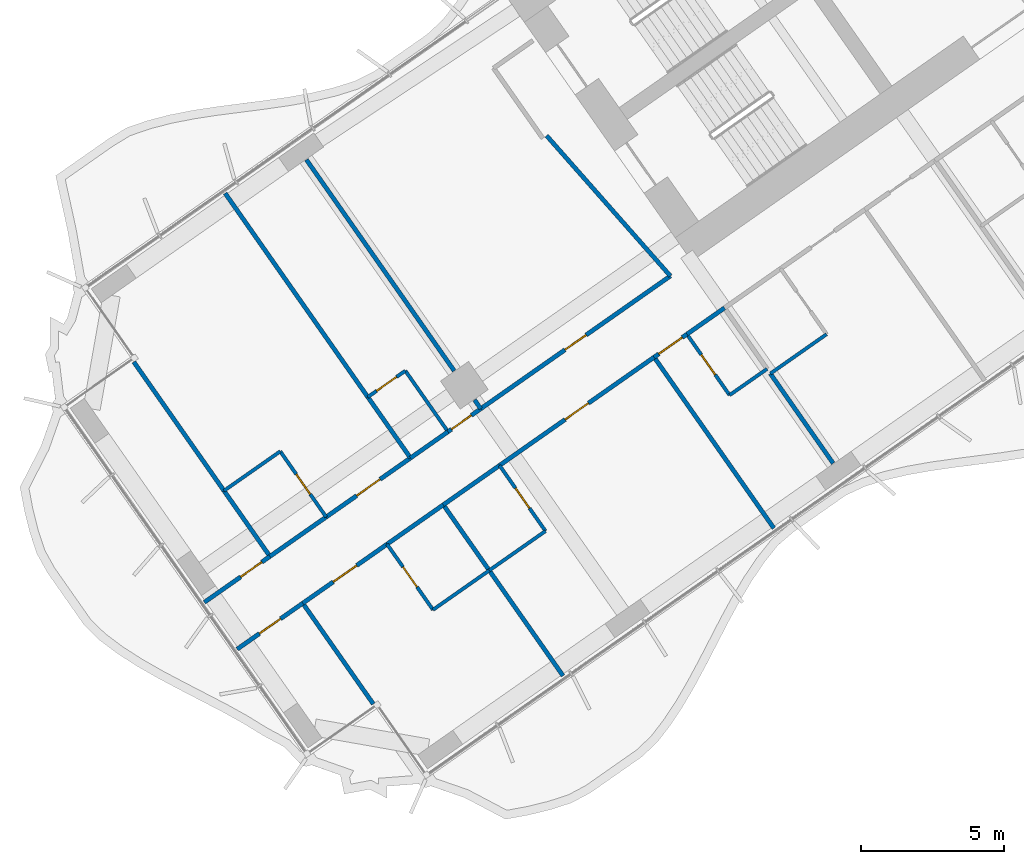
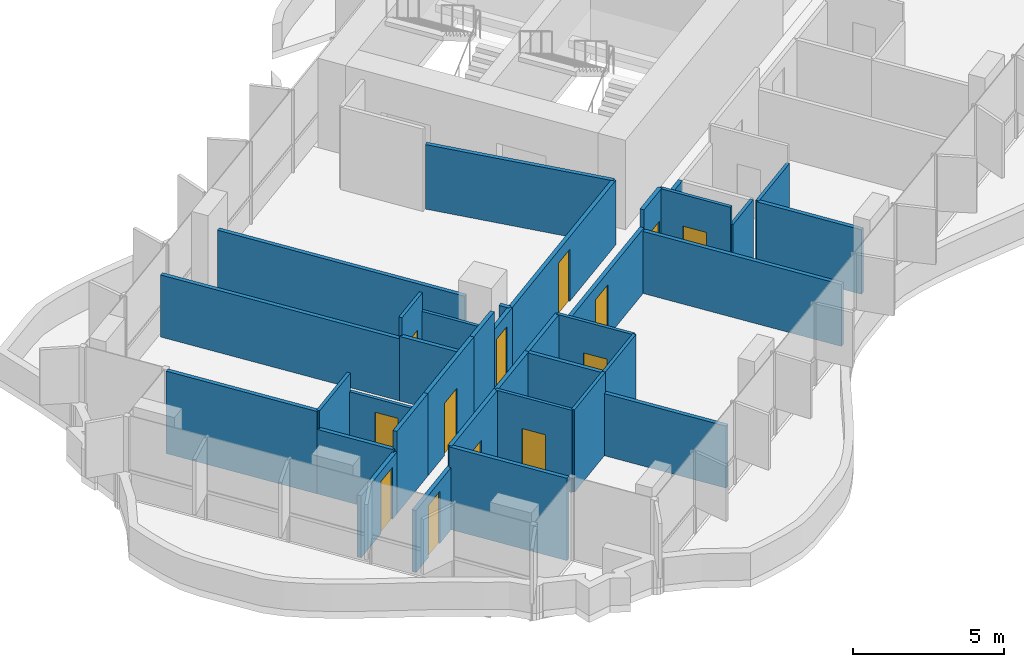
# One storey, part 13 of 24: 36 walls, 13 doors, 13 openings.
"""IFC4 building model written with IfcOpenShell, lengths in metres."""

from ifc_helpers import new_model, si_unit, direction, frame, frame_2d, origin, place, context, subcontext, project, spatial, rectangle, extrude, material, layer, layer_set, type_object, element, fill, save


model = new_model("IFC4")

# Units and contexts
model_context = context("Model", 3, precision=1e-05, world=origin(), true_north=direction((0.0, 1.0)))
body_context = subcontext(model_context, "Body", "Model", "MODEL_VIEW")
ifc_project = project(units=[si_unit("LENGTHUNIT", "METRE"), si_unit("AREAUNIT", "SQUARE_METRE"), si_unit("VOLUMEUNIT", "CUBIC_METRE"), si_unit("PLANEANGLEUNIT", "RADIAN"), si_unit("MASSUNIT", "GRAM", prefix="KILO")], contexts=[model_context])

# Site, building, storey
site_placement = place(None, origin())
site = spatial("IfcSite", under=ifc_project, at=site_placement, CompositionType="ELEMENT")
building_placement = place(site_placement, origin())
building = spatial("IfcBuilding", under=site, at=building_placement, Name="Tel Ilan Convention Tower", CompositionType="ELEMENT")
storey_placement = place(building_placement, frame((0.0, 0.0, 65.300048828125)))
storey = spatial("IfcBuildingStorey", under=building, at=storey_placement, Name="L11", CompositionType="ELEMENT", Elevation=65.300048828125)

# Wall, opening, door
ifc_material_1 = material(Name="Plasterboard on Steel Studs", Category="steel")
ifc_layer_1 = layer(ifc_material_1, 0.14990234375)
ifc_layer_set_1 = layer_set([ifc_layer_1], Name="Fire-rated Partition 150 EI 60")
wall_type_1 = type_object("IfcWallType", Name="Fire-rated Partition 150 EI 60", PredefinedType="PARTITIONING", material=ifc_layer_set_1)
wall_1_placement = place(storey_placement, frame((-28.91748046875, -21.468994140625, 0.0), z_axis=(0.0, 0.0, 1.0), x_axis=(0.819152599934, 0.573575642807, 0.0)))
wall_1 = element("IfcWall", 1, at=wall_1_placement, inside=storey, type_object=wall_type_1, Name="Partition 022", PredefinedType="PARTITIONING", context=body_context, shape_type="SweptSolid", body=[
    extrude(rectangle(XDim=8.098388671875, YDim=0.14990234375, at=frame_2d((4.04931640625, 0.0))), origin(), (0.0, 0.0, 1.0), 2.599853515625),
])
opening_1_placement = place(wall_1_placement, frame((3.59912109375, 0.0, 0.0)))
opening_1 = element("IfcOpeningElement", 2, at=opening_1_placement, cuts=wall_1, Name="Opening L11-013", PredefinedType="OPENING", context=body_context, shape_type="SweptSolid", body=[
    extrude(rectangle(XDim=0.89990234375, YDim=2.10009765625, at=frame_2d((0.449951171875, 1.050048828125))), frame((0.0, 0.0849609375, 0.0), z_axis=(0.0, -1.0, 0.0), x_axis=(1.0, 0.0, 0.0)), (0.0, 0.0, 1.0), 0.169921875),
])
ifc_material_2 = material(Name="Timber Door Leaf in Steel Frame", Category="steel")
door_type_1 = type_object("IfcDoorType", Name="Room Fire Door 900x2100", OperationType="NOTDEFINED", PredefinedType="DOOR", material=ifc_material_2)
door_1_placement = place(opening_1_placement, origin())
door_1 = element("IfcDoor", 3, at=door_1_placement, inside=storey, type_object=door_type_1, Name="Door L11-013", OperationType="SINGLE_SWING_LEFT", OverallHeight=2.10009765625, OverallWidth=0.89990234375, PredefinedType="DOOR", context=body_context, shape_type="SweptSolid", body=[
    extrude(rectangle(XDim=0.89990234375, YDim=2.10009765625, at=frame_2d((0.449951171875, 1.050048828125))), frame((0.0, 0.02490234375, 0.0), z_axis=(0.0, -1.0, 0.0), x_axis=(1.0, 0.0, 0.0)), (0.0, 0.0, 1.0), 0.050048828125),
])
fill(opening_1, door_1)

wall_2_placement = place(storey_placement, frame((-28.914306640625, -21.466796875, 0.0), z_axis=(0.0, 0.0, 1.0), x_axis=(-0.81914197737, -0.573590813132, 0.0)))
wall_2 = element("IfcWall", 4, at=wall_2_placement, inside=storey, type_object=wall_type_1, Name="Partition 023", PredefinedType="PARTITIONING", context=body_context, shape_type="SweptSolid", body=[
    extrude(rectangle(XDim=1.40283203125, YDim=0.14990234375, at=frame_2d((0.701416015625, 0.0))), origin(), (0.0, 0.0, 1.0), 2.599853515625),
])
opening_2_placement = place(wall_2_placement, frame((0.403076171875, 0.0, 0.0)))
opening_2 = element("IfcOpeningElement", 5, at=opening_2_placement, cuts=wall_2, Name="Opening L11-015", PredefinedType="OPENING", context=body_context, shape_type="SweptSolid", body=[
    extrude(rectangle(XDim=0.85009765625, YDim=2.10009765625, at=frame_2d((0.425048828125, 1.050048828125))), frame((0.0, 0.0849609375, 0.0), z_axis=(0.0, -1.0, 0.0), x_axis=(1.0, 0.0, 0.0)), (0.0, 0.0, 1.0), 0.169921875),
])
ifc_material_3 = material(Name="Timber Door Leaf in Steel Frame", Category="steel")
door_type_2 = type_object("IfcDoorType", Name="Room Fire Door 850x2100", OperationType="NOTDEFINED", PredefinedType="DOOR", material=ifc_material_3)
door_2_placement = place(opening_2_placement, origin())
door_2 = element("IfcDoor", 6, at=door_2_placement, inside=storey, type_object=door_type_2, Name="Door L11-015", OperationType="SINGLE_SWING_LEFT", OverallHeight=2.10009765625, OverallWidth=0.85009765625, PredefinedType="DOOR", context=body_context, shape_type="SweptSolid", body=[
    extrude(rectangle(XDim=0.85009765625, YDim=2.10009765625, at=frame_2d((0.425048828125, 1.050048828125))), frame((0.0, 0.02490234375, 0.0), z_axis=(0.0, -1.0, 0.0), x_axis=(1.0, 0.0, 0.0)), (0.0, 0.0, 1.0), 0.050048828125),
])
fill(opening_2, door_2)

# Wall
wall_3_placement = place(storey_placement, frame((-31.375, -23.189697265625, 0.0), z_axis=(0.0, 0.0, 1.0), x_axis=(0.819189013667, 0.573523634986, 0.0)))
element("IfcWall", 7, at=wall_3_placement, inside=storey, type_object=wall_type_1, Name="Partition 024", PredefinedType="PARTITIONING", context=body_context, shape_type="SweptSolid", body=[
    extrude(rectangle(XDim=1.60400390625, YDim=0.14990234375, at=frame_2d((0.802001953125, 0.0))), origin(), (0.0, 0.0, 1.0), 3.320068359375),
])

# Wall, opening, door
wall_4_placement = place(storey_placement, frame((-34.322998046875, -25.254150390625, 0.0), z_axis=(0.0, 0.0, 1.0), x_axis=(0.819145961204, 0.573585123798, 0.0)))
wall_4 = element("IfcWall", 8, at=wall_4_placement, inside=storey, type_object=wall_type_1, Name="Partition 025", PredefinedType="PARTITIONING", context=body_context, shape_type="SweptSolid", body=[
    extrude(rectangle(XDim=3.60302734375, YDim=0.14990234375, at=frame_2d((1.801513671875, 0.0))), origin(), (0.0, 0.0, 1.0), 3.320068359375),
])
opening_3_placement = place(wall_4_placement, frame((1.301025390625, 0.0, 0.0)))
opening_3 = element("IfcOpeningElement", 9, at=opening_3_placement, cuts=wall_4, Name="Opening L11-017", PredefinedType="OPENING", context=body_context, shape_type="SweptSolid", body=[
    extrude(rectangle(XDim=1.0, YDim=2.10009765625, at=frame_2d((0.5, 1.050048828125))), frame((0.0, 0.0849609375, 0.0), z_axis=(0.0, -1.0, 0.0), x_axis=(1.0, 0.0, 0.0)), (0.0, 0.0, 1.0), 0.169921875),
])
ifc_material_4 = material(Name="Timber Door Leaf in Steel Frame", Category="steel")
door_type_3 = type_object("IfcDoorType", Name="Hotel Room Entrance Fire Door 1000x2100", OperationType="NOTDEFINED", PredefinedType="DOOR", material=ifc_material_4)
door_3_placement = place(opening_3_placement, origin())
door_3 = element("IfcDoor", 10, at=door_3_placement, inside=storey, type_object=door_type_3, Name="Door L11-017", OperationType="SINGLE_SWING_LEFT", OverallHeight=2.10009765625, OverallWidth=1.0, PredefinedType="DOOR", context=body_context, shape_type="SweptSolid", body=[
    extrude(rectangle(XDim=1.0, YDim=2.10009765625, at=frame_2d((0.5, 1.050048828125))), frame((0.0, 0.02490234375, 0.0), z_axis=(0.0, -1.0, 0.0), x_axis=(1.0, 0.0, 0.0)), (0.0, 0.0, 1.0), 0.050048828125),
])
fill(opening_3, door_3)

# Wall
wall_5_placement = place(storey_placement, frame((-36.289794921875, -26.631103515625, 0.0), z_axis=(0.0, 0.0, 1.0), x_axis=(0.819160338113, 0.573564591361, 0.0)))
element("IfcWall", 11, at=wall_5_placement, inside=storey, type_object=wall_type_1, Name="Partition 026", PredefinedType="PARTITIONING", context=body_context, shape_type="SweptSolid", body=[
    extrude(rectangle(XDim=2.403564453125, YDim=0.14990234375, at=frame_2d((1.20166015625, 0.0))), origin(), (0.0, 0.0, 1.0), 3.320068359375),
])

# Wall, opening, door
wall_6_placement = place(storey_placement, frame((-38.581787109375, -28.236083984375, 0.0), z_axis=(0.0, 0.0, 1.0), x_axis=(0.819137759006, 0.573596837309, 0.0)))
wall_6 = element("IfcWall", 12, at=wall_6_placement, inside=storey, type_object=wall_type_1, Name="Partition 027", PredefinedType="PARTITIONING", context=body_context, shape_type="SweptSolid", body=[
    extrude(rectangle(XDim=2.802001953125, YDim=0.14990234375, at=frame_2d((1.40087890625, 0.0))), origin(), (0.0, 0.0, 1.0), 2.5),
])
opening_4_placement = place(wall_6_placement, frame((1.551025390625, 0.0, 0.0)))
opening_4 = element("IfcOpeningElement", 13, at=opening_4_placement, cuts=wall_6, Name="Opening L11-018", PredefinedType="OPENING", context=body_context, shape_type="SweptSolid", body=[
    extrude(rectangle(XDim=0.89990234375, YDim=2.10009765625, at=frame_2d((0.449951171875, 1.050048828125))), frame((0.0, 0.0849609375, 0.0), z_axis=(0.0, -1.0, 0.0), x_axis=(1.0, 0.0, 0.0)), (0.0, 0.0, 1.0), 0.169921875),
])
door_4_placement = place(opening_4_placement, origin())
door_4 = element("IfcDoor", 14, at=door_4_placement, inside=storey, type_object=door_type_1, Name="Door L11-018", OperationType="SINGLE_SWING_RIGHT", OverallHeight=2.10009765625, OverallWidth=0.89990234375, PredefinedType="DOOR", context=body_context, shape_type="SweptSolid", body=[
    extrude(rectangle(XDim=0.89990234375, YDim=2.10009765625, at=frame_2d((0.449951171875, 1.050048828125))), frame((0.0, 0.02490234375, 0.0), z_axis=(0.0, -1.0, 0.0), x_axis=(1.0, 0.0, 0.0)), (0.0, 0.0, 1.0), 0.050048828125),
])
fill(opening_4, door_4)

wall_7_placement = place(storey_placement, frame((-21.706298828125, -18.861083984375, 0.0), z_axis=(0.0, 0.0, 1.0), x_axis=(-0.819060210533, -0.573707566205, 0.0)))
wall_7 = element("IfcWall", 15, at=wall_7_placement, inside=storey, type_object=wall_type_1, Name="Partition 033", PredefinedType="PARTITIONING", context=body_context, shape_type="SweptSolid", body=[
    extrude(rectangle(XDim=1.403076171875, YDim=0.14990234375, at=frame_2d((0.70166015625, 0.0))), origin(), (0.0, 0.0, 1.0), 3.320068359375),
])
opening_5_placement = place(wall_7_placement, frame((0.200927734375, 0.0, 0.0)))
opening_5 = element("IfcOpeningElement", 16, at=opening_5_placement, cuts=wall_7, Name="Opening L11-007", PredefinedType="OPENING", context=body_context, shape_type="SweptSolid", body=[
    extrude(rectangle(XDim=1.0, YDim=2.10009765625, at=frame_2d((0.5, 1.050048828125))), frame((0.0, 0.0849609375, 0.0), z_axis=(0.0, -1.0, 0.0), x_axis=(1.0, 0.0, 0.0)), (0.0, 0.0, 1.0), 0.169921875),
])
door_5_placement = place(opening_5_placement, origin())
door_5 = element("IfcDoor", 17, at=door_5_placement, inside=storey, type_object=door_type_3, Name="Door L11-007", OperationType="SINGLE_SWING_RIGHT", OverallHeight=2.10009765625, OverallWidth=1.0, PredefinedType="DOOR", context=body_context, shape_type="SweptSolid", body=[
    extrude(rectangle(XDim=1.0, YDim=2.10009765625, at=frame_2d((0.5, 1.050048828125))), frame((0.0, 0.02490234375, 0.0), z_axis=(0.0, -1.0, 0.0), x_axis=(1.0, 0.0, 0.0)), (0.0, 0.0, 1.0), 0.050048828125),
])
fill(opening_5, door_5)

# Wall
wall_8_placement = place(storey_placement, frame((-20.394775390625, -17.94287109375, 0.0), z_axis=(0.0, 0.0, 1.0), x_axis=(-0.819189013667, -0.573523634986, 0.0)))
element("IfcWall", 18, at=wall_8_placement, inside=storey, type_object=wall_type_1, Name="Partition 034", PredefinedType="PARTITIONING", context=body_context, shape_type="SweptSolid", body=[
    extrude(rectangle(XDim=1.60400390625, YDim=0.14990234375, at=frame_2d((0.802001953125, 0.0))), origin(), (0.0, 0.0, 1.0), 2.599853515625),
])

# Wall, opening, door
wall_9_placement = place(storey_placement, frame((-22.852294921875, -19.66357421875, 0.0), z_axis=(0.0, 0.0, 1.0), x_axis=(-0.819141582452, -0.573591377113, 0.0)))
wall_9 = element("IfcWall", 19, at=wall_9_placement, inside=storey, type_object=wall_type_1, Name="Partition 035", PredefinedType="PARTITIONING", context=body_context, shape_type="SweptSolid", body=[
    extrude(rectangle(XDim=6.602783203125, YDim=0.14990234375, at=frame_2d((3.30126953125, 0.0))), origin(), (0.0, 0.0, 1.0), 2.599853515625),
])
opening_6_placement = place(wall_9_placement, frame((2.802001953125, 0.0, 0.0)))
opening_6 = element("IfcOpeningElement", 20, at=opening_6_placement, cuts=wall_9, Name="Opening L11-009", PredefinedType="OPENING", context=body_context, shape_type="SweptSolid", body=[
    extrude(rectangle(XDim=1.0, YDim=2.10009765625, at=frame_2d((0.5, 1.050048828125))), frame((0.0, 0.0849609375, 0.0), z_axis=(0.0, -1.0, 0.0), x_axis=(1.0, 0.0, 0.0)), (0.0, 0.0, 1.0), 0.169921875),
])
door_6_placement = place(opening_6_placement, origin())
door_6 = element("IfcDoor", 21, at=door_6_placement, inside=storey, type_object=door_type_3, Name="Door L11-009", OperationType="SINGLE_SWING_RIGHT", OverallHeight=2.10009765625, OverallWidth=1.0, PredefinedType="DOOR", context=body_context, shape_type="SweptSolid", body=[
    extrude(rectangle(XDim=1.0, YDim=2.10009765625, at=frame_2d((0.5, 1.050048828125))), frame((0.0, 0.02490234375, 0.0), z_axis=(0.0, -1.0, 0.0), x_axis=(1.0, 0.0, 0.0)), (0.0, 0.0, 1.0), 0.050048828125),
])
fill(opening_6, door_6)

# Wall
wall_10_placement = place(storey_placement, frame((-28.258544921875, -23.44921875, 0.0), z_axis=(0.0, 0.0, 1.0), x_axis=(-0.819146032251, -0.573585022335, 0.0)))
element("IfcWall", 22, at=wall_10_placement, inside=storey, type_object=wall_type_1, Name="Partition 036", PredefinedType="PARTITIONING", context=body_context, shape_type="SweptSolid", body=[
    extrude(rectangle(XDim=2.404052734375, YDim=0.14990234375, at=frame_2d((1.2021484375, 0.0))), origin(), (0.0, 0.0, 1.0), 3.320068359375),
])

# Wall, opening, door
wall_11_placement = place(storey_placement, frame((-32.19140625, -26.202880859375, 0.0), z_axis=(0.0, 0.0, 1.0), x_axis=(-0.819145961204, -0.573585123798, 0.0)))
wall_11 = element("IfcWall", 23, at=wall_11_placement, inside=storey, type_object=wall_type_1, Name="Partition 037", PredefinedType="PARTITIONING", context=body_context, shape_type="SweptSolid", body=[
    extrude(rectangle(XDim=3.60302734375, YDim=0.14990234375, at=frame_2d((1.801513671875, 0.0))), origin(), (0.0, 0.0, 1.0), 3.320068359375),
])
opening_7_placement = place(wall_11_placement, frame((1.301025390625, 0.0, 0.0)))
opening_7 = element("IfcOpeningElement", 24, at=opening_7_placement, cuts=wall_11, Name="Opening L11-011", PredefinedType="OPENING", context=body_context, shape_type="SweptSolid", body=[
    extrude(rectangle(XDim=1.0, YDim=2.10009765625, at=frame_2d((0.5, 1.050048828125))), frame((0.0, 0.0849609375, 0.0), z_axis=(0.0, -1.0, 0.0), x_axis=(1.0, 0.0, 0.0)), (0.0, 0.0, 1.0), 0.169921875),
])
door_7_placement = place(opening_7_placement, origin())
door_7 = element("IfcDoor", 25, at=door_7_placement, inside=storey, type_object=door_type_3, Name="Door L11-011", OperationType="SINGLE_SWING_LEFT", OverallHeight=2.10009765625, OverallWidth=1.0, PredefinedType="DOOR", context=body_context, shape_type="SweptSolid", body=[
    extrude(rectangle(XDim=1.0, YDim=2.10009765625, at=frame_2d((0.5, 1.050048828125))), frame((0.0, 0.02490234375, 0.0), z_axis=(0.0, -1.0, 0.0), x_axis=(1.0, 0.0, 0.0)), (0.0, 0.0, 1.0), 0.050048828125),
])
fill(opening_7, door_7)

# Wall
wall_12_placement = place(storey_placement, frame((-30.224609375, -24.82568359375, 0.0), z_axis=(0.0, 0.0, 1.0), x_axis=(-0.819146032251, -0.573585022335, 0.0)))
element("IfcWall", 26, at=wall_12_placement, inside=storey, type_object=wall_type_1, Name="Partition 038", PredefinedType="PARTITIONING", context=body_context, shape_type="SweptSolid", body=[
    extrude(rectangle(XDim=2.404052734375, YDim=0.14990234375, at=frame_2d((1.2021484375, 0.0))), origin(), (0.0, 0.0, 1.0), 3.320068359375),
])

# Wall, opening, door
wall_13_placement = place(storey_placement, frame((-35.139404296875, -28.26708984375, 0.0), z_axis=(0.0, 0.0, 1.0), x_axis=(-0.819125488359, -0.573614360281, 0.0)))
wall_13 = element("IfcWall", 27, at=wall_13_placement, inside=storey, type_object=wall_type_1, Name="Partition 039", PredefinedType="PARTITIONING", context=body_context, shape_type="SweptSolid", body=[
    extrude(rectangle(XDim=2.80224609375, YDim=0.14990234375, at=frame_2d((1.401123046875, 0.0))), origin(), (0.0, 0.0, 1.0), 2.5),
])
opening_8_placement = place(wall_13_placement, frame((0.950927734375, 0.0, 0.0)))
opening_8 = element("IfcOpeningElement", 28, at=opening_8_placement, cuts=wall_13, Name="Opening L11-012", PredefinedType="OPENING", context=body_context, shape_type="SweptSolid", body=[
    extrude(rectangle(XDim=0.89990234375, YDim=2.10009765625, at=frame_2d((0.449951171875, 1.050048828125))), frame((0.0, 0.0849609375, 0.0), z_axis=(0.0, -1.0, 0.0), x_axis=(1.0, 0.0, 0.0)), (0.0, 0.0, 1.0), 0.169921875),
])
door_8_placement = place(opening_8_placement, origin())
door_8 = element("IfcDoor", 29, at=door_8_placement, inside=storey, type_object=door_type_1, Name="Door L11-012", OperationType="SINGLE_SWING_RIGHT", OverallHeight=2.10009765625, OverallWidth=0.89990234375, PredefinedType="DOOR", context=body_context, shape_type="SweptSolid", body=[
    extrude(rectangle(XDim=0.89990234375, YDim=2.10009765625, at=frame_2d((0.449951171875, 1.050048828125))), frame((0.0, 0.02490234375, 0.0), z_axis=(0.0, -1.0, 0.0), x_axis=(1.0, 0.0, 0.0)), (0.0, 0.0, 1.0), 0.050048828125),
])
fill(opening_8, door_8)

# Walls
wall_14_placement = place(storey_placement, frame((-22.2841796875, -16.82666015625, 0.0), z_axis=(0.0, 0.0, 1.0), x_axis=(-0.661545117561, 0.749905365651, 0.0)))
element("IfcWall", 30, at=wall_14_placement, inside=storey, type_object=wall_type_1, Name="Partition 081", PredefinedType="PARTITIONING", context=body_context, shape_type="SweptSolid", body=[
    extrude(rectangle(XDim=6.542724609375, YDim=0.14990234375, at=frame_2d((3.271484375, 0.0))), origin(), (0.0, 0.0, 1.0), 2.599853515625),
])
wall_15_placement = place(storey_placement, frame((-28.916015625, -21.468017578125, 0.0), z_axis=(0.0, 0.0, 1.0), x_axis=(-0.572944929411, 0.819593867633, 0.0)))
element("IfcWall", 31, at=wall_15_placement, inside=storey, type_object=wall_type_1, Name="Partition 082", PredefinedType="PARTITIONING", context=body_context, shape_type="SweptSolid", body=[
    extrude(rectangle(XDim=0.380126953125, YDim=0.14990234375, at=frame_2d((0.18994140625, 0.0))), origin(), (0.0, 0.0, 1.0), 2.599853515625),
])
wall_16_placement = place(storey_placement, frame((-29.84521484375, -20.140869140625, 0.0), z_axis=(0.0, 0.0, 1.0), x_axis=(-0.573558725113, 0.819164445546, 0.0)))
element("IfcWall", 32, at=wall_16_placement, inside=storey, type_object=wall_type_1, Name="Partition 083", PredefinedType="PARTITIONING", context=body_context, shape_type="SweptSolid", body=[
    extrude(rectangle(XDim=9.010009765625, YDim=0.14990234375, at=frame_2d((4.5048828125, 0.0))), origin(), (0.0, 0.0, 1.0), 2.599853515625),
])
wall_17_placement = place(storey_placement, frame((-32.865234375, -21.05810546875, 0.0), z_axis=(0.0, 0.0, 1.0), x_axis=(-0.573564051961, 0.819160715792, 0.0)))
element("IfcWall", 33, at=wall_17_placement, inside=storey, type_object=wall_type_1, Name="Partition 086", PredefinedType="PARTITIONING", context=body_context, shape_type="SweptSolid", body=[
    extrude(rectangle(XDim=8.69921875, YDim=0.14990234375, at=frame_2d((4.349609375, 0.0))), origin(), (0.0, 0.0, 1.0), 2.5),
])
wall_18_placement = place(storey_placement, frame((-31.373291015625, -23.188720703125, 0.0), z_axis=(0.0, 0.0, 1.0), x_axis=(-0.573600972199, 0.819134863556, 0.0)))
element("IfcWall", 34, at=wall_18_placement, inside=storey, type_object=wall_type_1, Name="Partition 087", PredefinedType="PARTITIONING", context=body_context, shape_type="SweptSolid", body=[
    extrude(rectangle(XDim=2.60009765625, YDim=0.14990234375, at=frame_2d((1.300048828125, 0.0))), origin(), (0.0, 0.0, 1.0), 2.599853515625),
])
wall_19_placement = place(storey_placement, frame((-37.89501953125, -24.335693359375, 0.0), z_axis=(0.0, 0.0, 1.0), x_axis=(-0.573530875885, 0.819183944183, 0.0)))
element("IfcWall", 35, at=wall_19_placement, inside=storey, type_object=wall_type_1, Name="Partition 090", PredefinedType="PARTITIONING", context=body_context, shape_type="SweptSolid", body=[
    extrude(rectangle(XDim=5.4990234375, YDim=0.14990234375, at=frame_2d((2.74951171875, 0.0))), origin(), (0.0, 0.0, 1.0), 3.320068359375),
])
wall_20_placement = place(storey_placement, frame((-36.288330078125, -26.630126953125, 0.0), z_axis=(0.0, 0.0, 1.0), x_axis=(-0.573550118428, 0.819170471667, 0.0)))
element("IfcWall", 36, at=wall_20_placement, inside=storey, type_object=wall_type_1, Name="Partition 091", PredefinedType="PARTITIONING", context=body_context, shape_type="SweptSolid", body=[
    extrude(rectangle(XDim=2.800048828125, YDim=0.14990234375, at=frame_2d((1.39990234375, 0.0))), origin(), (0.0, 0.0, 1.0), 2.599853515625),
])
wall_21_placement = place(storey_placement, frame((-16.593505859375, -23.375, 0.0), z_axis=(0.0, 0.0, 1.0), x_axis=(-0.573594994199, 0.819139049631, 0.0)))
element("IfcWall", 37, at=wall_21_placement, inside=storey, type_object=wall_type_1, Name="Partition 099", PredefinedType="PARTITIONING", context=body_context, shape_type="SweptSolid", body=[
    extrude(rectangle(XDim=3.8291015625, YDim=0.14990234375, at=frame_2d((1.91455078125, 0.0))), origin(), (0.0, 0.0, 1.0), 2.599853515625),
])
wall_22_placement = place(storey_placement, frame((-18.666748046875, -25.64453125, 0.0), z_axis=(0.0, 0.0, 1.0), x_axis=(-0.573572324301, 0.819154923562, 0.0)))
element("IfcWall", 38, at=wall_22_placement, inside=storey, type_object=wall_type_1, Name="Partition 103", PredefinedType="PARTITIONING", context=body_context, shape_type="SweptSolid", body=[
    extrude(rectangle(XDim=7.2998046875, YDim=0.14990234375, at=frame_2d((3.64990234375, 0.0))), origin(), (0.0, 0.0, 1.0), 2.5),
])
wall_23_placement = place(storey_placement, frame((-26.0390625, -30.806640625, 0.0), z_axis=(0.0, 0.0, 1.0), x_axis=(-0.573589807488, 0.819142681555, 0.0)))
element("IfcWall", 39, at=wall_23_placement, inside=storey, type_object=wall_type_1, Name="Partition 106", PredefinedType="PARTITIONING", context=body_context, shape_type="SweptSolid", body=[
    extrude(rectangle(XDim=4.4990234375, YDim=0.14990234375, at=frame_2d((2.24951171875, 0.0))), origin(), (0.0, 0.0, 1.0), 2.5),
])
wall_24_placement = place(storey_placement, frame((-28.6201171875, -27.12060546875, 0.0), z_axis=(0.0, 0.0, 1.0), x_axis=(-0.573608623498, 0.819129505664, 0.0)))
element("IfcWall", 40, at=wall_24_placement, inside=storey, type_object=wall_type_1, Name="Partition 107", PredefinedType="PARTITIONING", context=body_context, shape_type="SweptSolid", body=[
    extrude(rectangle(XDim=2.800048828125, YDim=0.14990234375, at=frame_2d((1.39990234375, 0.0))), origin(), (0.0, 0.0, 1.0), 3.320068359375),
])
wall_25_placement = place(storey_placement, frame((-32.6748046875, -31.790771484375, 0.0), z_axis=(0.0, 0.0, 1.0), x_axis=(-0.573553792486, 0.819167899227, 0.0)))
element("IfcWall", 41, at=wall_25_placement, inside=storey, type_object=wall_type_1, Name="Partition 110", PredefinedType="PARTITIONING", context=body_context, shape_type="SweptSolid", body=[
    extrude(rectangle(XDim=4.300048828125, YDim=0.14990234375, at=frame_2d((2.14990234375, 0.0))), origin(), (0.0, 0.0, 1.0), 3.320068359375),
])
ifc_material_5 = material(Name="Plasterboard on Steel Studs", Category="steel")
ifc_layer_2 = layer(ifc_material_5, 0.1201171875)
ifc_layer_set_2 = layer_set([ifc_layer_2], Name="Moisture-resistant Partition 120")
wall_type_2 = type_object("IfcWallType", Name="Moisture-resistant Partition 120", PredefinedType="PARTITIONING", material=ifc_layer_set_2)
wall_26_placement = place(storey_placement, frame((-30.06201171875, -22.270263671875, 0.0), z_axis=(0.0, 0.0, 1.0), x_axis=(-0.573537965655, 0.819178980414, 0.0)))
element("IfcWall", 42, at=wall_26_placement, inside=storey, type_object=wall_type_2, Name="Partition 084", PredefinedType="PARTITIONING", context=body_context, shape_type="SweptSolid", body=[
    extrude(rectangle(XDim=2.60009765625, YDim=0.1201171875, at=frame_2d((1.300048828125, 0.0))), origin(), (0.0, 0.0, 1.0), 2.599853515625),
])

# Wall, opening, door
wall_27_placement = place(storey_placement, frame((-31.5546875, -20.140380859375, 0.0), z_axis=(0.0, 0.0, 1.0), x_axis=(-0.819131543282, -0.57360571371, 0.0)))
wall_27 = element("IfcWall", 43, at=wall_27_placement, inside=storey, type_object=wall_type_2, Name="Partition 085", PredefinedType="PARTITIONING", context=body_context, shape_type="SweptSolid", body=[
    extrude(rectangle(XDim=1.599853515625, YDim=0.1201171875, at=frame_2d((0.7998046875, 0.0))), origin(), (0.0, 0.0, 1.0), 3.320068359375),
])
opening_9_placement = place(wall_27_placement, frame((0.375, 0.0, 0.0)))
opening_9 = element("IfcOpeningElement", 44, at=opening_9_placement, cuts=wall_27, Name="Opening L11-014", PredefinedType="OPENING", context=body_context, shape_type="SweptSolid", body=[
    extrude(rectangle(XDim=0.85009765625, YDim=2.050048828125, at=frame_2d((0.425048828125, 1.02490234375))), frame((0.0, 0.070068359375, 0.0), z_axis=(0.0, -1.0, 0.0), x_axis=(1.0, 0.0, 0.0)), (0.0, 0.0, 1.0), 0.14013671875),
])
ifc_material_6 = material(Name="Timber Door Leaf in Steel Frame", Category="steel")
door_type_4 = type_object("IfcDoorType", Name="Bathroom Timber Door 850x2050", OperationType="NOTDEFINED", PredefinedType="DOOR", material=ifc_material_6)
door_9_placement = place(opening_9_placement, origin())
door_9 = element("IfcDoor", 45, at=door_9_placement, inside=storey, type_object=door_type_4, Name="Door L11-014", OperationType="SINGLE_SWING_RIGHT", OverallHeight=2.050048828125, OverallWidth=0.85009765625, PredefinedType="DOOR", context=body_context, shape_type="SweptSolid", body=[
    extrude(rectangle(XDim=0.85009765625, YDim=2.050048828125, at=frame_2d((0.425048828125, 1.02490234375))), frame((0.0, 0.02490234375, 0.0), z_axis=(0.0, -1.0, 0.0), x_axis=(1.0, 0.0, 0.0)), (0.0, 0.0, 1.0), 0.050048828125),
])
fill(opening_9, door_9)

wall_28_placement = place(storey_placement, frame((-34.321533203125, -25.2529296875, 0.0), z_axis=(0.0, 0.0, 1.0), x_axis=(-0.573550118428, 0.819170471667, 0.0)))
wall_28 = element("IfcWall", 46, at=wall_28_placement, inside=storey, type_object=wall_type_2, Name="Partition 088", PredefinedType="PARTITIONING", context=body_context, shape_type="SweptSolid", body=[
    extrude(rectangle(XDim=2.800048828125, YDim=0.1201171875, at=frame_2d((1.39990234375, 0.0))), origin(), (0.0, 0.0, 1.0), 2.599853515625),
])
opening_10_placement = place(wall_28_placement, frame((0.97509765625, 0.0, 0.0)))
opening_10 = element("IfcOpeningElement", 47, at=opening_10_placement, cuts=wall_28, Name="Opening L11-016", PredefinedType="OPENING", context=body_context, shape_type="SweptSolid", body=[
    extrude(rectangle(XDim=0.85009765625, YDim=2.050048828125, at=frame_2d((0.425048828125, 1.02490234375))), frame((0.0, 0.070068359375, 0.0), z_axis=(0.0, -1.0, 0.0), x_axis=(1.0, 0.0, 0.0)), (0.0, 0.0, 1.0), 0.14013671875),
])
door_10_placement = place(opening_10_placement, origin())
door_10 = element("IfcDoor", 48, at=door_10_placement, inside=storey, type_object=door_type_4, Name="Door L11-016", OperationType="SINGLE_SWING_RIGHT", OverallHeight=2.050048828125, OverallWidth=0.85009765625, PredefinedType="DOOR", context=body_context, shape_type="SweptSolid", body=[
    extrude(rectangle(XDim=0.85009765625, YDim=2.050048828125, at=frame_2d((0.425048828125, 1.02490234375))), frame((0.0, 0.02490234375, 0.0), z_axis=(0.0, -1.0, 0.0), x_axis=(1.0, 0.0, 0.0)), (0.0, 0.0, 1.0), 0.050048828125),
])
fill(opening_10, door_10)

# Walls
wall_29_placement = place(storey_placement, frame((-35.928955078125, -22.958984375, 0.0), z_axis=(0.0, 0.0, 1.0), x_axis=(-0.819141114317, -0.573592045652, 0.0)))
element("IfcWall", 49, at=wall_29_placement, inside=storey, type_object=wall_type_2, Name="Partition 089", PredefinedType="PARTITIONING", context=body_context, shape_type="SweptSolid", body=[
    extrude(rectangle(XDim=2.400146484375, YDim=0.1201171875, at=frame_2d((1.2001953125, 0.0))), origin(), (0.0, 0.0, 1.0), 3.320068359375),
])
wall_30_placement = place(storey_placement, frame((-18.789794921875, -20.238525390625, 0.0), z_axis=(0.0, 0.0, 1.0), x_axis=(0.819141114317, 0.573592045652, 0.0)))
element("IfcWall", 50, at=wall_30_placement, inside=storey, type_object=wall_type_2, Name="Partition 097", PredefinedType="PARTITIONING", context=body_context, shape_type="SweptSolid", body=[
    extrude(rectangle(XDim=2.400146484375, YDim=0.1201171875, at=frame_2d((1.2001953125, 0.0))), origin(), (0.0, 0.0, 1.0), 2.599853515625),
])

# Wall, opening, door
wall_31_placement = place(storey_placement, frame((-21.707763671875, -18.8623046875, 0.0), z_axis=(0.0, 0.0, 1.0), x_axis=(0.573537965655, -0.819178980414, 0.0)))
wall_31 = element("IfcWall", 51, at=wall_31_placement, inside=storey, type_object=wall_type_2, Name="Partition 101", PredefinedType="PARTITIONING", context=body_context, shape_type="SweptSolid", body=[
    extrude(rectangle(XDim=2.60009765625, YDim=0.1201171875, at=frame_2d((1.300048828125, 0.0))), origin(), (0.0, 0.0, 1.0), 3.320068359375),
])
opening_11_placement = place(wall_31_placement, frame((0.875, 0.0, 0.0)))
opening_11 = element("IfcOpeningElement", 52, at=opening_11_placement, cuts=wall_31, Name="Opening L11-006", PredefinedType="OPENING", context=body_context, shape_type="SweptSolid", body=[
    extrude(rectangle(XDim=0.85009765625, YDim=2.050048828125, at=frame_2d((0.425048828125, 1.02490234375))), frame((0.0, 0.070068359375, 0.0), z_axis=(0.0, -1.0, 0.0), x_axis=(1.0, 0.0, 0.0)), (0.0, 0.0, 1.0), 0.14013671875),
])
door_11_placement = place(opening_11_placement, origin())
door_11 = element("IfcDoor", 53, at=door_11_placement, inside=storey, type_object=door_type_4, Name="Door L11-006", OperationType="SINGLE_SWING_LEFT", OverallHeight=2.050048828125, OverallWidth=0.85009765625, PredefinedType="DOOR", context=body_context, shape_type="SweptSolid", body=[
    extrude(rectangle(XDim=0.85009765625, YDim=2.050048828125, at=frame_2d((0.425048828125, 1.02490234375))), frame((0.0, 0.02490234375, 0.0), z_axis=(0.0, -1.0, 0.0), x_axis=(1.0, 0.0, 0.0)), (0.0, 0.0, 1.0), 0.050048828125),
])
fill(opening_11, door_11)

# Walls
wall_32_placement = place(storey_placement, frame((-20.215087890625, -20.992431640625, 0.0), z_axis=(0.0, 0.0, 1.0), x_axis=(0.819131543282, 0.57360571371, 0.0)))
element("IfcWall", 54, at=wall_32_placement, inside=storey, type_object=wall_type_2, Name="Partition 102", PredefinedType="PARTITIONING", context=body_context, shape_type="SweptSolid", body=[
    extrude(rectangle(XDim=1.599853515625, YDim=0.1201171875, at=frame_2d((0.7998046875, 0.0))), origin(), (0.0, 0.0, 1.0), 2.599853515625),
])
wall_33_placement = place(storey_placement, frame((-28.61962890625, -27.121337890625, 0.0), z_axis=(0.0, 0.0, 1.0), x_axis=(0.819188907105, 0.573523787192, 0.0)))
element("IfcWall", 55, at=wall_33_placement, inside=storey, type_object=wall_type_2, Name="Partition 104", PredefinedType="PARTITIONING", context=body_context, shape_type="SweptSolid", body=[
    extrude(rectangle(XDim=2.39990234375, YDim=0.1201171875, at=frame_2d((1.199951171875, 0.0))), origin(), (0.0, 0.0, 1.0), 3.320068359375),
])

# Wall, opening, door
wall_34_placement = place(storey_placement, frame((-26.6533203125, -25.743408203125, 0.0), z_axis=(0.0, 0.0, 1.0), x_axis=(-0.573608623498, 0.819129505664, 0.0)))
wall_34 = element("IfcWall", 56, at=wall_34_placement, inside=storey, type_object=wall_type_2, Name="Partition 105", PredefinedType="PARTITIONING", context=body_context, shape_type="SweptSolid", body=[
    extrude(rectangle(XDim=2.800048828125, YDim=0.1201171875, at=frame_2d((1.39990234375, 0.0))), origin(), (0.0, 0.0, 1.0), 3.320068359375),
])
opening_12_placement = place(wall_34_placement, frame((0.97509765625, 0.0, 0.0)))
opening_12 = element("IfcOpeningElement", 57, at=opening_12_placement, cuts=wall_34, Name="Opening L11-008", PredefinedType="OPENING", context=body_context, shape_type="SweptSolid", body=[
    extrude(rectangle(XDim=0.85009765625, YDim=2.050048828125, at=frame_2d((0.425048828125, 1.02490234375))), frame((0.0, 0.070068359375, 0.0), z_axis=(0.0, -1.0, 0.0), x_axis=(1.0, 0.0, 0.0)), (0.0, 0.0, 1.0), 0.14013671875),
])
door_12_placement = place(opening_12_placement, origin())
door_12 = element("IfcDoor", 58, at=door_12_placement, inside=storey, type_object=door_type_4, Name="Door L11-008", OperationType="SINGLE_SWING_RIGHT", OverallHeight=2.050048828125, OverallWidth=0.85009765625, PredefinedType="DOOR", context=body_context, shape_type="SweptSolid", body=[
    extrude(rectangle(XDim=0.85009765625, YDim=2.050048828125, at=frame_2d((0.425048828125, 1.02490234375))), frame((0.0, 0.02490234375, 0.0), z_axis=(0.0, -1.0, 0.0), x_axis=(1.0, 0.0, 0.0)), (0.0, 0.0, 1.0), 0.050048828125),
])
fill(opening_12, door_12)

wall_35_placement = place(storey_placement, frame((-32.193115234375, -26.2041015625, 0.0), z_axis=(0.0, 0.0, 1.0), x_axis=(0.573608623498, -0.819129505664, 0.0)))
wall_35 = element("IfcWall", 59, at=wall_35_placement, inside=storey, type_object=wall_type_2, Name="Partition 108", PredefinedType="PARTITIONING", context=body_context, shape_type="SweptSolid", body=[
    extrude(rectangle(XDim=2.800048828125, YDim=0.1201171875, at=frame_2d((1.39990234375, 0.0))), origin(), (0.0, 0.0, 1.0), 3.320068359375),
])
opening_13_placement = place(wall_35_placement, frame((0.97509765625, 0.0, 0.0)))
opening_13 = element("IfcOpeningElement", 60, at=opening_13_placement, cuts=wall_35, Name="Opening L11-010", PredefinedType="OPENING", context=body_context, shape_type="SweptSolid", body=[
    extrude(rectangle(XDim=0.85009765625, YDim=2.050048828125, at=frame_2d((0.425048828125, 1.02490234375))), frame((0.0, 0.070068359375, 0.0), z_axis=(0.0, -1.0, 0.0), x_axis=(1.0, 0.0, 0.0)), (0.0, 0.0, 1.0), 0.14013671875),
])
door_13_placement = place(opening_13_placement, origin())
door_13 = element("IfcDoor", 61, at=door_13_placement, inside=storey, type_object=door_type_4, Name="Door L11-010", OperationType="SINGLE_SWING_RIGHT", OverallHeight=2.050048828125, OverallWidth=0.85009765625, PredefinedType="DOOR", context=body_context, shape_type="SweptSolid", body=[
    extrude(rectangle(XDim=0.85009765625, YDim=2.050048828125, at=frame_2d((0.425048828125, 1.02490234375))), frame((0.0, 0.02490234375, 0.0), z_axis=(0.0, -1.0, 0.0), x_axis=(1.0, 0.0, 0.0)), (0.0, 0.0, 1.0), 0.050048828125),
])
fill(opening_13, door_13)

# Wall
wall_36_placement = place(storey_placement, frame((-30.585693359375, -28.498046875, 0.0), z_axis=(0.0, 0.0, 1.0), x_axis=(0.819141114317, 0.573592045652, 0.0)))
element("IfcWall", 62, at=wall_36_placement, inside=storey, type_object=wall_type_2, Name="Partition 109", PredefinedType="PARTITIONING", context=body_context, shape_type="SweptSolid", body=[
    extrude(rectangle(XDim=2.400146484375, YDim=0.1201171875, at=frame_2d((1.2001953125, 0.0))), origin(), (0.0, 0.0, 1.0), 3.320068359375),
])

save(model, "model.ifc")
